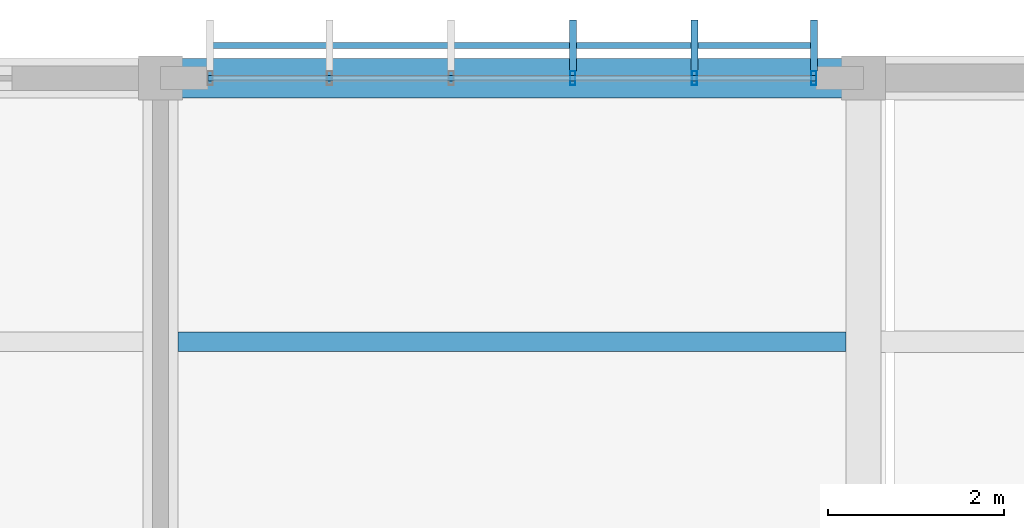
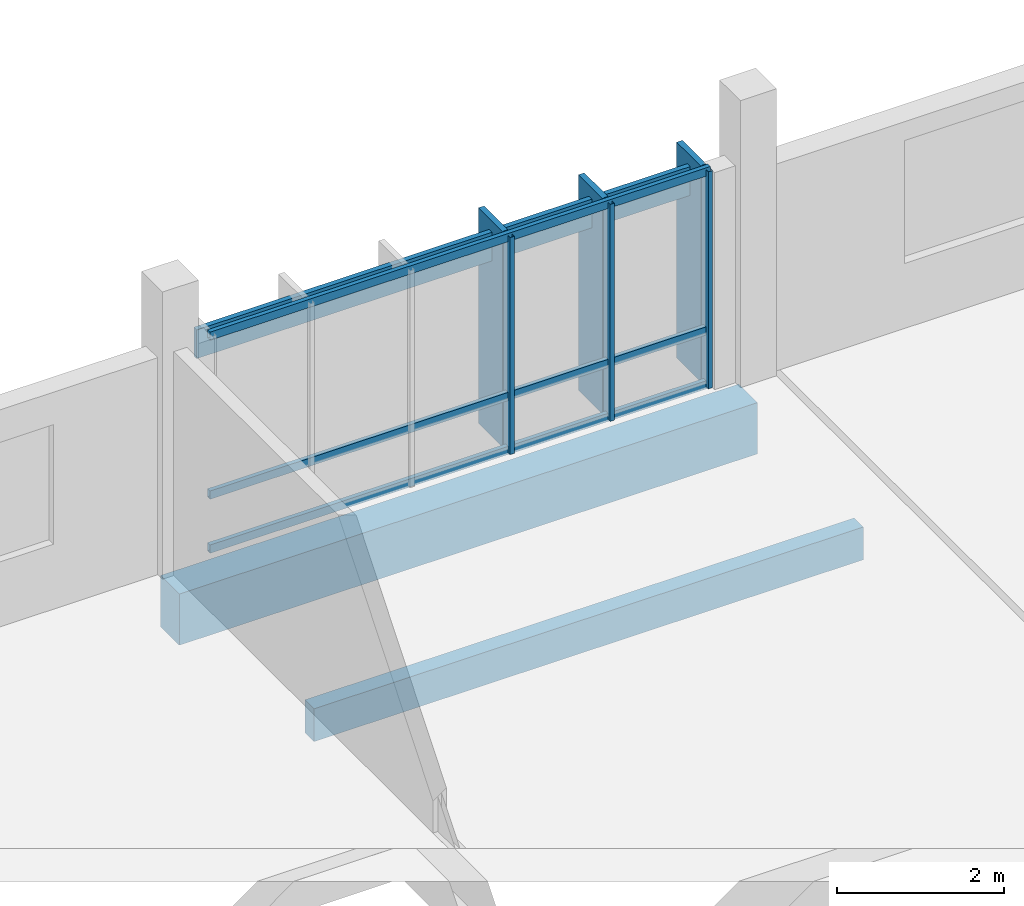
# One storey, part 130 of 182: 10 members, 2 beams, 1 element without a shape of its own.
"""IFC4 building model written with IfcOpenShell, lengths in metres."""

from ifc_helpers import new_model, si_unit, direction, frame, origin, origin_2d, place, context, subcontext, project, spatial, rectangle, hollow_rectangle, extrude, material, material_profile, profile_set, type_object, element, aggregate, save


model = new_model("IFC4")

# Units and contexts
model_context = context("Model", 3, precision=1e-05, world=origin(), true_north=direction((0.0, 1.0)))
body_context = subcontext(model_context, "Body", "Model", "MODEL_VIEW")
ifc_project = project(units=[si_unit("LENGTHUNIT", "METRE"), si_unit("AREAUNIT", "SQUARE_METRE"), si_unit("VOLUMEUNIT", "CUBIC_METRE"), si_unit("PLANEANGLEUNIT", "RADIAN"), si_unit("MASSUNIT", "GRAM", prefix="KILO")], contexts=[model_context])

# Site, building, storey
site_placement = place(None, origin())
site = spatial("IfcSite", under=ifc_project, at=site_placement, CompositionType="ELEMENT")
building_placement = place(site_placement, origin())
building = spatial("IfcBuilding", under=site, at=building_placement, Name="Chiffa Square Polytechnic", CompositionType="ELEMENT")
storey_placement = place(building_placement, frame((0.0, 0.0, 9.60009765625)))
storey = spatial("IfcBuildingStorey", under=building, at=storey_placement, Name="L02", CompositionType="ELEMENT", Elevation=9.60009765625)

# Beam
ifc_material_1 = material(Name="Concrete C35/45", Category="concrete")
ifc_material_profile_1 = material_profile(ifc_material_1, rectangle(XDim=0.449951171875, YDim=0.75, at=origin_2d()), Name="RC 450x750")
ifc_profile_set_1 = profile_set([ifc_material_profile_1], Name="Concrete C35/45")
beam_type_1 = type_object("IfcBeamType", Name="BM-RC-450X750", PredefinedType="BEAM", material=ifc_profile_set_1)
beam_1_placement = place(storey_placement, frame((40.0, 130.800048828125, -0.695068359375), z_axis=(1.0, 0.0, 0.0), x_axis=(0.0, 1.0, 0.0)))
element("IfcBeam", 1, at=beam_1_placement, inside=storey, type_object=beam_type_1, Name="Primary floor girder BM-V5-L02-X-0400-1308", PredefinedType="BEAM", context=body_context, shape_type="SweptSolid", body=[
    extrude(rectangle(XDim=0.449951171875, YDim=0.75, at=origin_2d()), origin(), (0.0, 0.0, 1.0), 8.0),
])

# Curtain wall, members
ifc_material_2 = material(Name="Aluminium EN AW-6060 T66 and glulam shading", Category="wood")
curtain_wall_type = type_object("IfcCurtainWallType", Name="CW-VERT-360X380", PredefinedType="USERDEFINED", material=ifc_material_2)
curtain_wall_placement = place(storey_placement, origin())
curtain_wall = element("IfcCurtainWall", 2, at=curtain_wall_placement, inside=storey, type_object=curtain_wall_type, Name="Curtain wall CW-V5-L02-221", ObjectType="CURTAIN WALL", PredefinedType="USERDEFINED")
ifc_material_3 = material(Name="Aluminium EN AW-6060 T66", Category="aluminium")
ifc_material_profile_2 = material_profile(ifc_material_3, hollow_rectangle(XDim=0.06005859375, YDim=0.159912109375, WallThickness=0.00390625, at=origin_2d()), Name="ALU 60x160x4")
ifc_profile_set_2 = profile_set([ifc_material_profile_2], Name="Aluminium EN AW-6060 T66")
member_type_1 = type_object("IfcMemberType", Name="CWM-ALU-65X150", PredefinedType="MULLION", material=ifc_profile_set_2)
member_1_placement = place(storey_placement, frame((47.43505859375, 130.800048828125, 0.0), z_axis=(0.0, 0.0, 1.0), x_axis=(1.0, 0.0, 0.0)))
member_1 = element("IfcMember", 3, at=member_1_placement, type_object=member_type_1, Name="Curtain wall mullion CW-V5-L02-221-M00", PredefinedType="MULLION", context=body_context, shape_type="SweptSolid", body=[
    extrude(hollow_rectangle(XDim=0.06005859375, YDim=0.159912109375, WallThickness=0.00390625, at=origin_2d()), origin(), (0.0, 0.0, 1.0), 3.1748046875),
])
member_2_placement = place(storey_placement, frame((46.075927734375, 130.800048828125, 0.0), z_axis=(0.0, 0.0, 1.0), x_axis=(1.0, 0.0, 0.0)))
member_2 = element("IfcMember", 4, at=member_2_placement, type_object=member_type_1, Name="Curtain wall mullion CW-V5-L02-221-M01", PredefinedType="MULLION", context=body_context, shape_type="SweptSolid", body=[
    extrude(hollow_rectangle(XDim=0.06005859375, YDim=0.159912109375, WallThickness=0.00390625, at=origin_2d()), origin(), (0.0, 0.0, 1.0), 3.1748046875),
])
member_3_placement = place(storey_placement, frame((44.69189453125, 130.800048828125, 0.0), z_axis=(0.0, 0.0, 1.0), x_axis=(1.0, 0.0, 0.0)))
member_3 = element("IfcMember", 5, at=member_3_placement, type_object=member_type_1, Name="Curtain wall mullion CW-V5-L02-221-M02", PredefinedType="MULLION", context=body_context, shape_type="SweptSolid", body=[
    extrude(hollow_rectangle(XDim=0.06005859375, YDim=0.159912109375, WallThickness=0.00390625, at=origin_2d()), origin(), (0.0, 0.0, 1.0), 3.1748046875),
])
ifc_material_4 = material(Name="Glulam GL28h", Category="wood")
ifc_material_profile_3 = material_profile(ifc_material_4, rectangle(XDim=0.080078125, YDim=0.580078125, at=origin_2d()), Name="GL28h 80x580")
ifc_profile_set_3 = profile_set([ifc_material_profile_3], Name="Glulam GL28h")
member_type_2 = type_object("IfcMemberType", Name="CWM-GL-80X580", PredefinedType="MULLION", material=ifc_profile_set_3)
member_4_placement = place(storey_placement, frame((47.43505859375, 131.172119140625, 0.010009765625), z_axis=(0.0, 0.0, 1.0), x_axis=(-1.0, 0.0, 0.0)))
member_4 = element("IfcMember", 6, at=member_4_placement, type_object=member_type_2, Name="Exterior glulam solar fin CW-V5-L02-221-FN00", PredefinedType="MULLION", context=body_context, shape_type="SweptSolid", body=[
    extrude(rectangle(XDim=0.080078125, YDim=0.580078125, at=origin_2d()), origin(), (0.0, 0.0, 1.0), 3.15478515625),
])
member_5_placement = place(storey_placement, frame((46.075927734375, 131.172119140625, 0.010009765625), z_axis=(0.0, 0.0, 1.0), x_axis=(-1.0, 0.0, 0.0)))
member_5 = element("IfcMember", 7, at=member_5_placement, type_object=member_type_2, Name="Exterior glulam solar fin CW-V5-L02-221-FN01", PredefinedType="MULLION", context=body_context, shape_type="SweptSolid", body=[
    extrude(rectangle(XDim=0.080078125, YDim=0.580078125, at=origin_2d()), origin(), (0.0, 0.0, 1.0), 3.15478515625),
])
member_6_placement = place(storey_placement, frame((44.69189453125, 131.172119140625, 0.010009765625), z_axis=(0.0, 0.0, 1.0), x_axis=(-1.0, 0.0, 0.0)))
member_6 = element("IfcMember", 8, at=member_6_placement, type_object=member_type_2, Name="Exterior glulam solar fin CW-V5-L02-221-FN02", PredefinedType="MULLION", context=body_context, shape_type="SweptSolid", body=[
    extrude(rectangle(XDim=0.080078125, YDim=0.580078125, at=origin_2d()), origin(), (0.0, 0.0, 1.0), 3.15478515625),
])
ifc_material_profile_4 = material_profile(ifc_material_3, hollow_rectangle(XDim=0.06005859375, YDim=0.1201171875, WallThickness=0.00390625, at=origin_2d()), Name="ALU 60x120x4")
ifc_profile_set_4 = profile_set([ifc_material_profile_4], Name="Aluminium EN AW-6060 T66")
member_type_3 = type_object("IfcMemberType", Name="CWT-ALU-65X120", PredefinedType="USERDEFINED", material=ifc_profile_set_4)
member_7_placement = place(storey_placement, frame((47.4619140625, 130.800048828125, 0.02978515625), z_axis=(-1.0, 0.0, 0.0), x_axis=(0.0, -1.0, 0.0)))
member_7 = element("IfcMember", 9, at=member_7_placement, type_object=member_type_3, Name="Curtain wall transom CW-V5-L02-221-T01", ObjectType="TRANSOM", PredefinedType="USERDEFINED", context=body_context, shape_type="SweptSolid", body=[
    extrude(hollow_rectangle(XDim=0.06005859375, YDim=0.1201171875, WallThickness=0.00390625, at=origin_2d()), origin(), (0.0, 0.0, 1.0), 6.923828125),
])
member_8_placement = place(storey_placement, frame((47.4619140625, 130.800048828125, 0.81982421875), z_axis=(-1.0, 0.0, 0.0), x_axis=(0.0, -1.0, 0.0)))
member_8 = element("IfcMember", 10, at=member_8_placement, type_object=member_type_3, Name="Curtain wall transom CW-V5-L02-221-T02", ObjectType="TRANSOM", PredefinedType="USERDEFINED", context=body_context, shape_type="SweptSolid", body=[
    extrude(hollow_rectangle(XDim=0.06005859375, YDim=0.1201171875, WallThickness=0.00390625, at=origin_2d()), origin(), (0.0, 0.0, 1.0), 6.923828125),
])
member_9_placement = place(storey_placement, frame((47.4619140625, 130.800048828125, 3.14501953125), z_axis=(-1.0, 0.0, 0.0), x_axis=(0.0, -1.0, 0.0)))
member_9 = element("IfcMember", 11, at=member_9_placement, type_object=member_type_3, Name="Curtain wall transom CW-V5-L02-221-T03", ObjectType="TRANSOM", PredefinedType="USERDEFINED", context=body_context, shape_type="SweptSolid", body=[
    extrude(hollow_rectangle(XDim=0.06005859375, YDim=0.1201171875, WallThickness=0.00390625, at=origin_2d()), origin(), (0.0, 0.0, 1.0), 6.923828125),
])
ifc_material_profile_5 = material_profile(ifc_material_4, rectangle(XDim=0.070068359375, YDim=0.419921875, at=origin_2d()), Name="GL28h 70x420")
ifc_profile_set_5 = profile_set([ifc_material_profile_5], Name="Glulam GL28h")
member_type_4 = type_object("IfcMemberType", Name="CWT-GL-70X420", PredefinedType="USERDEFINED", material=ifc_profile_set_5)
member_10_placement = place(storey_placement, frame((47.43505859375, 131.172119140625, 2.794921875), z_axis=(-1.0, 0.0, 0.0), x_axis=(0.0, -1.0, 0.0)))
member_10 = element("IfcMember", 12, at=member_10_placement, type_object=member_type_4, Name="Exterior glulam brise-soleil CW-V5-L02-221-BS01", ObjectType="TRANSOM", PredefinedType="USERDEFINED", context=body_context, shape_type="SweptSolid", body=[
    extrude(rectangle(XDim=0.070068359375, YDim=0.419921875, at=origin_2d()), origin(), (0.0, 0.0, 1.0), 6.8701171875),
])
aggregate(curtain_wall, [member_1, member_4, member_2, member_5, member_3, member_6, member_7, member_8, member_9, member_10])

# Beam
ifc_material_profile_6 = material_profile(ifc_material_4, rectangle(XDim=0.219970703125, YDim=0.47998046875, at=origin_2d()), Name="GL28h 220x480")
ifc_profile_set_6 = profile_set([ifc_material_profile_6], Name="Glulam GL28h")
beam_type_2 = type_object("IfcBeamType", Name="JST-GL-220X480", PredefinedType="JOIST", material=ifc_profile_set_6)
beam_2_placement = place(storey_placement, frame((40.197998046875, 127.800048828125, -0.56005859375), z_axis=(1.0, 0.0, 0.0), x_axis=(0.0, 1.0, 0.0)))
element("IfcBeam", 13, at=beam_2_placement, inside=storey, type_object=beam_type_2, Name="Secondary floor joist JST-V5-L02-0400-1278", PredefinedType="JOIST", context=body_context, shape_type="SweptSolid", body=[
    extrude(rectangle(XDim=0.219970703125, YDim=0.47998046875, at=origin_2d()), origin(), (0.0, 0.0, 1.0), 7.60400390625),
])

save(model, "model.ifc")
